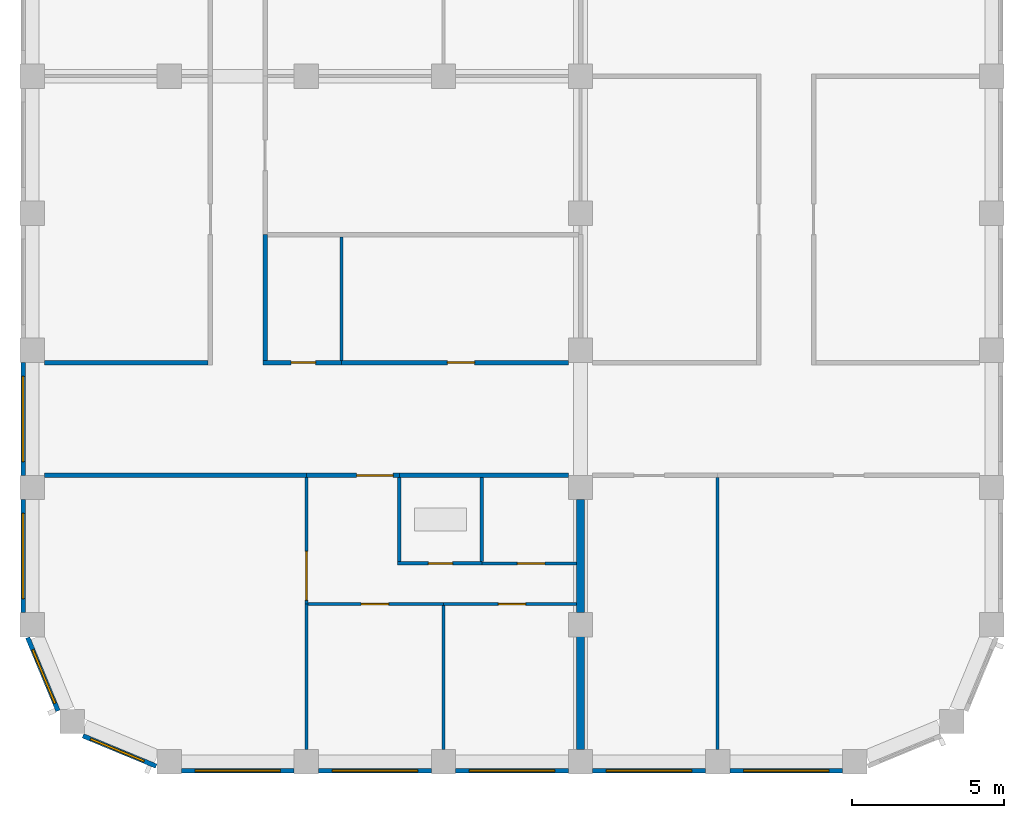
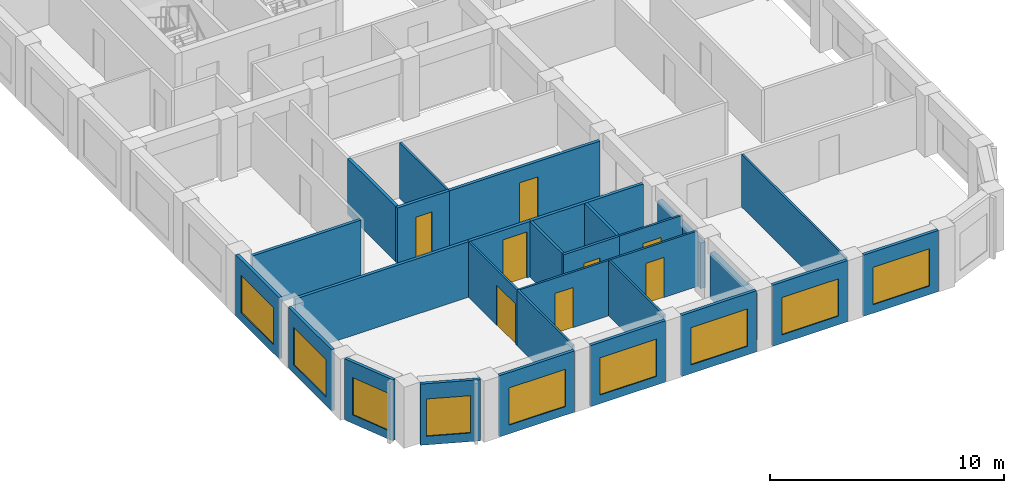
# One storey, part 2 of 9: 29 walls, 9 windows, 8 doors, 17 openings.
"""IFC4 building model written with IfcOpenShell, lengths in metres."""

from ifc_helpers import new_model, si_unit, direction, frame, frame_2d, origin, place, context, subcontext, project, spatial, rectangle, extrude, material, layer, layer_set, type_object, element, fill, save


model = new_model("IFC4")

# Units and contexts
model_context = context("Model", 3, precision=1e-05, world=origin(), true_north=direction((0.0, 1.0)))
body_context = subcontext(model_context, "Body", "Model", "MODEL_VIEW")
ifc_project = project(units=[si_unit("LENGTHUNIT", "METRE"), si_unit("AREAUNIT", "SQUARE_METRE"), si_unit("VOLUMEUNIT", "CUBIC_METRE"), si_unit("PLANEANGLEUNIT", "RADIAN"), si_unit("MASSUNIT", "GRAM", prefix="KILO")], contexts=[model_context])

# Site, building, storey
site_placement = place(None, origin())
site = spatial("IfcSite", under=ifc_project, at=site_placement, CompositionType="ELEMENT")
building_placement = place(site_placement, origin())
building = spatial("IfcBuilding", under=site, at=building_placement, Name="Girih Gate Residences", CompositionType="ELEMENT")
storey_placement = place(building_placement, frame((0.0, 0.0, 189.10009765625)))
storey = spatial("IfcBuildingStorey", under=building, at=storey_placement, Name="L52", CompositionType="ELEMENT", Elevation=189.10009765625)

# Walls
ifc_material_1 = material(Name="Gypsum board on steel studs", Category="steel")
ifc_layer_1 = layer(ifc_material_1, 0.25)
ifc_layer_set_1 = layer_set([ifc_layer_1], Name="Acoustic separating wall 250 mm")
wall_type_1 = type_object("IfcWallType", Name="Acoustic separating wall 250 mm", PredefinedType="PARTITIONING", material=ifc_layer_set_1)
for number, where, z_axis, x_axis, name in (
    (1, (18.0, 4.89990234375, 0.0), (0.0, 0.0, 1.0), (0.0, 1.0, 0.0), "L52 partition"),
    (2, (18.0, 0.39990234375, 0.0), (0.0, 0.0, 1.0), (0.0, 1.0, 0.0), "L52 partition"),
):
    element("IfcWall", number, at=place(storey_placement, frame(where, z_axis=z_axis, x_axis=x_axis)), inside=storey, type_object=wall_type_1, Name=name, PredefinedType="PARTITIONING", context=body_context, shape_type="SweptSolid", body=[
        extrude(rectangle(XDim=3.7001953125, YDim=0.25, at=frame_2d((1.85009765625, 0.0))), origin(), (0.0, 0.0, 1.0), 2.3798828125),
    ])
ifc_layer_2 = layer(ifc_material_1, 0.14990234375)
ifc_layer_set_2 = layer_set([ifc_layer_2], Name="Compartment wall 150 mm")
wall_type_2 = type_object("IfcWallType", Name="Compartment wall 150 mm", PredefinedType="PARTITIONING", material=ifc_layer_set_2)
wall_1_placement = place(storey_placement, frame((12.050048828125, 9.39990234375, 0.0), z_axis=(0.0, 0.0, 1.0), x_axis=(1.0, 0.0, 0.0)))
element("IfcWall", 3, at=wall_1_placement, inside=storey, type_object=wall_type_2, Name="L52 partition", PredefinedType="PARTITIONING", context=body_context, shape_type="SweptSolid", body=[
    extrude(rectangle(XDim=5.550048828125, YDim=0.14990234375, at=frame_2d((2.77490234375, 0.0))), origin(), (0.0, 0.0, 1.0), 2.89990234375),
])

# Wall, opening, door
wall_2_placement = place(storey_placement, frame((12.050048828125, 9.39990234375, 0.0), z_axis=(0.0, 0.0, 1.0), x_axis=(-1.0, 0.0, 0.0)))
wall_2 = element("IfcWall", 4, at=wall_2_placement, inside=storey, type_object=wall_type_2, Name="L52 partition", PredefinedType="PARTITIONING", context=body_context, shape_type="SweptSolid", body=[
    extrude(rectangle(XDim=3.050048828125, YDim=0.14990234375, at=frame_2d((1.52490234375, 0.0))), origin(), (0.0, 0.0, 1.0), 2.89990234375),
])
opening_1_placement = place(wall_2_placement, frame((0.199951171875, 0.0, 0.0)))
opening_1 = element("IfcOpeningElement", 5, at=opening_1_placement, cuts=wall_2, Name="Opening A52-006", PredefinedType="OPENING", context=body_context, shape_type="SweptSolid", body=[
    extrude(rectangle(XDim=1.199951171875, YDim=2.39990234375, at=frame_2d((0.60009765625, 1.199951171875))), frame((0.0, 0.0849609375, 0.0), z_axis=(0.0, -1.0, 0.0), x_axis=(1.0, 0.0, 0.0)), (0.0, 0.0, 1.0), 0.169921875),
])
ifc_material_2 = material(Name="Timber, fire-rated core", Category="wood")
door_type_1 = type_object("IfcDoorType", Name="Villa entrance door 1200x2400 FD30S", OperationType="NOTDEFINED", PredefinedType="DOOR", material=ifc_material_2)
door_1_placement = place(opening_1_placement, origin())
door_1 = element("IfcDoor", 6, at=door_1_placement, inside=storey, type_object=door_type_1, Name="Door A52-006", OperationType="SINGLE_SWING_LEFT", OverallHeight=2.39990234375, OverallWidth=1.199951171875, PredefinedType="DOOR", context=body_context, shape_type="SweptSolid", body=[
    extrude(rectangle(XDim=1.199951171875, YDim=2.39990234375, at=frame_2d((0.60009765625, 1.199951171875))), frame((0.0, 0.02490234375, 0.0), z_axis=(0.0, -1.0, 0.0), x_axis=(1.0, 0.0, 0.0)), (0.0, 0.0, 1.0), 0.050048828125),
])
fill(opening_1, door_1)

# Wall
wall_3_placement = place(storey_placement, frame((0.39990234375, 9.39990234375, 0.0), z_axis=(0.0, 0.0, 1.0), x_axis=(1.0, 0.0, 0.0)))
element("IfcWall", 7, at=wall_3_placement, inside=storey, type_object=wall_type_2, Name="L52 partition", PredefinedType="PARTITIONING", context=body_context, shape_type="SweptSolid", body=[
    extrude(rectangle(XDim=8.60009765625, YDim=0.14990234375, at=frame_2d((4.300048828125, 0.0))), origin(), (0.0, 0.0, 1.0), 2.89990234375),
])

# Wall, opening, door
wall_4_placement = place(storey_placement, frame((10.14990234375, 13.10009765625, 0.0), z_axis=(0.0, 0.0, 1.0), x_axis=(1.0, 0.0, 0.0)))
wall_4 = element("IfcWall", 8, at=wall_4_placement, inside=storey, type_object=wall_type_2, Name="L52 partition", PredefinedType="PARTITIONING", context=body_context, shape_type="SweptSolid", body=[
    extrude(rectangle(XDim=7.4501953125, YDim=0.14990234375, at=frame_2d((3.72509765625, 0.0))), origin(), (0.0, 0.0, 1.0), 2.89990234375),
])
opening_2_placement = place(wall_4_placement, frame((3.47509765625, 0.0, 0.0)))
opening_2 = element("IfcOpeningElement", 9, at=opening_2_placement, cuts=wall_4, Name="Opening A52-020", PredefinedType="OPENING", context=body_context, shape_type="SweptSolid", body=[
    extrude(rectangle(XDim=0.89990234375, YDim=2.10009765625, at=frame_2d((0.449951171875, 1.050048828125))), frame((0.0, 0.0849609375, 0.0), z_axis=(0.0, -1.0, 0.0), x_axis=(1.0, 0.0, 0.0)), (0.0, 0.0, 1.0), 0.169921875),
])
ifc_material_3 = material(Name="Timber", Category="wood")
door_type_2 = type_object("IfcDoorType", Name="Service room door 900x2100", OperationType="NOTDEFINED", PredefinedType="DOOR", material=ifc_material_3)
door_2_placement = place(opening_2_placement, origin())
door_2 = element("IfcDoor", 10, at=door_2_placement, inside=storey, type_object=door_type_2, Name="Door A52-020", OperationType="SINGLE_SWING_RIGHT", OverallHeight=2.10009765625, OverallWidth=0.89990234375, PredefinedType="DOOR", context=body_context, shape_type="SweptSolid", body=[
    extrude(rectangle(XDim=0.89990234375, YDim=2.10009765625, at=frame_2d((0.449951171875, 1.050048828125))), frame((0.0, 0.02490234375, 0.0), z_axis=(0.0, -1.0, 0.0), x_axis=(1.0, 0.0, 0.0)), (0.0, 0.0, 1.0), 0.050048828125),
])
fill(opening_2, door_2)

wall_5_placement = place(storey_placement, frame((7.574951171875, 13.10009765625, 0.0), z_axis=(0.0, 0.0, 1.0), x_axis=(1.0, 0.0, 0.0)))
wall_5 = element("IfcWall", 11, at=wall_5_placement, inside=storey, type_object=wall_type_2, Name="L52 partition", PredefinedType="PARTITIONING", context=body_context, shape_type="SweptSolid", body=[
    extrude(rectangle(XDim=2.574951171875, YDim=0.14990234375, at=frame_2d((1.28759765625, 0.0))), origin(), (0.0, 0.0, 1.0), 2.89990234375),
])
opening_3_placement = place(wall_5_placement, frame((0.925048828125, 0.0, 0.0)))
opening_3 = element("IfcOpeningElement", 12, at=opening_3_placement, cuts=wall_5, Name="Opening A52-021", PredefinedType="OPENING", context=body_context, shape_type="SweptSolid", body=[
    extrude(rectangle(XDim=0.800048828125, YDim=2.10009765625, at=frame_2d((0.39990234375, 1.050048828125))), frame((0.0, 0.0849609375, 0.0), z_axis=(0.0, -1.0, 0.0), x_axis=(1.0, 0.0, 0.0)), (0.0, 0.0, 1.0), 0.169921875),
])
door_type_3 = type_object("IfcDoorType", Name="Bathroom door 800x2100", OperationType="NOTDEFINED", PredefinedType="DOOR", material=ifc_material_3)
door_3_placement = place(opening_3_placement, origin())
door_3 = element("IfcDoor", 13, at=door_3_placement, inside=storey, type_object=door_type_3, Name="Door A52-021", OperationType="SINGLE_SWING_RIGHT", OverallHeight=2.10009765625, OverallWidth=0.800048828125, PredefinedType="DOOR", context=body_context, shape_type="SweptSolid", body=[
    extrude(rectangle(XDim=0.800048828125, YDim=2.10009765625, at=frame_2d((0.39990234375, 1.050048828125))), frame((0.0, 0.02490234375, 0.0), z_axis=(0.0, -1.0, 0.0), x_axis=(1.0, 0.0, 0.0)), (0.0, 0.0, 1.0), 0.050048828125),
])
fill(opening_3, door_3)

# Walls
wall_6_placement = place(storey_placement, frame((0.39990234375, 13.10009765625, 0.0), z_axis=(0.0, 0.0, 1.0), x_axis=(1.0, 0.0, 0.0)))
element("IfcWall", 14, at=wall_6_placement, inside=storey, type_object=wall_type_2, Name="L52 partition", PredefinedType="PARTITIONING", context=body_context, shape_type="SweptSolid", body=[
    extrude(rectangle(XDim=5.375, YDim=0.14990234375, at=frame_2d((2.6875, 0.0))), origin(), (0.0, 0.0, 1.0), 2.89990234375),
])
wall_7_placement = place(storey_placement, frame((7.64990234375, 13.175048828125, 0.0), z_axis=(0.0, 0.0, 1.0), x_axis=(0.0, 1.0, 0.0)))
element("IfcWall", 15, at=wall_7_placement, inside=storey, type_object=wall_type_2, Name="L52 partition", PredefinedType="PARTITIONING", context=body_context, shape_type="SweptSolid", body=[
    extrude(rectangle(XDim=4.125, YDim=0.14990234375, at=frame_2d((2.0625, 0.0))), origin(), (0.0, 0.0, 1.0), 2.89990234375),
])
ifc_layer_3 = layer(ifc_material_1, 0.10009765625)
ifc_layer_set_3 = layer_set([ifc_layer_3], Name="Partition 100 mm")
wall_type_3 = type_object("IfcWallType", Name="Partition 100 mm", PredefinedType="PARTITIONING", material=ifc_layer_set_3)
wall_8_placement = place(storey_placement, frame((13.5, 0.39990234375, 0.0), z_axis=(0.0, 0.0, 1.0), x_axis=(0.0, 1.0, 0.0)))
element("IfcWall", 16, at=wall_8_placement, inside=storey, type_object=wall_type_3, Name="L52 partition", PredefinedType="PARTITIONING", context=body_context, shape_type="SweptSolid", body=[
    extrude(rectangle(XDim=4.72021484375, YDim=0.10009765625, at=frame_2d((2.360107421875, 0.0))), origin(), (0.0, 0.0, 1.0), 2.89990234375),
])

# Wall, opening, door
wall_9_placement = place(storey_placement, frame((13.5, 5.169921875, 0.0), z_axis=(0.0, 0.0, 1.0), x_axis=(-1.0, 0.0, 0.0)))
wall_9 = element("IfcWall", 17, at=wall_9_placement, inside=storey, type_object=wall_type_3, Name="L52 partition", PredefinedType="PARTITIONING", context=body_context, shape_type="SweptSolid", body=[
    extrude(rectangle(XDim=4.449951171875, YDim=0.10009765625, at=frame_2d((2.22509765625, 0.0))), origin(), (0.0, 0.0, 1.0), 2.89990234375),
])
opening_4_placement = place(wall_9_placement, frame((1.800048828125, 0.0, 0.0)))
opening_4 = element("IfcOpeningElement", 18, at=opening_4_placement, cuts=wall_9, Name="Opening A52-002", PredefinedType="OPENING", context=body_context, shape_type="SweptSolid", body=[
    extrude(rectangle(XDim=0.89990234375, YDim=2.10009765625, at=frame_2d((0.449951171875, 1.050048828125))), frame((0.0, 0.06005859375, 0.0), z_axis=(0.0, -1.0, 0.0), x_axis=(1.0, 0.0, 0.0)), (0.0, 0.0, 1.0), 0.1201171875),
])
door_type_4 = type_object("IfcDoorType", Name="Bedroom door 900x2100", OperationType="NOTDEFINED", PredefinedType="DOOR", material=ifc_material_3)
door_4_placement = place(opening_4_placement, origin())
door_4 = element("IfcDoor", 19, at=door_4_placement, inside=storey, type_object=door_type_4, Name="Door A52-002", OperationType="SINGLE_SWING_RIGHT", OverallHeight=2.10009765625, OverallWidth=0.89990234375, PredefinedType="DOOR", context=body_context, shape_type="SweptSolid", body=[
    extrude(rectangle(XDim=0.89990234375, YDim=2.10009765625, at=frame_2d((0.449951171875, 1.050048828125))), frame((0.0, 0.02490234375, 0.0), z_axis=(0.0, -1.0, 0.0), x_axis=(1.0, 0.0, 0.0)), (0.0, 0.0, 1.0), 0.050048828125),
])
fill(opening_4, door_4)

# Wall
wall_10_placement = place(storey_placement, frame((9.0, 0.39990234375, 0.0), z_axis=(0.0, 0.0, 1.0), x_axis=(0.0, 1.0, 0.0)))
element("IfcWall", 20, at=wall_10_placement, inside=storey, type_object=wall_type_3, Name="L52 partition", PredefinedType="PARTITIONING", context=body_context, shape_type="SweptSolid", body=[
    extrude(rectangle(XDim=4.77001953125, YDim=0.10009765625, at=frame_2d((2.385009765625, 0.0))), origin(), (0.0, 0.0, 1.0), 2.89990234375),
])

# Wall, opening, door
wall_11_placement = place(storey_placement, frame((17.875, 5.169921875, 0.0), z_axis=(0.0, 0.0, 1.0), x_axis=(-1.0, 0.0, 0.0)))
wall_11 = element("IfcWall", 21, at=wall_11_placement, inside=storey, type_object=wall_type_3, Name="L52 partition", PredefinedType="PARTITIONING", context=body_context, shape_type="SweptSolid", body=[
    extrude(rectangle(XDim=4.375, YDim=0.10009765625, at=frame_2d((2.1875, 0.0))), origin(), (0.0, 0.0, 1.0), 2.89990234375),
])
opening_5_placement = place(wall_11_placement, frame((1.675048828125, 0.0, 0.0)))
opening_5 = element("IfcOpeningElement", 22, at=opening_5_placement, cuts=wall_11, Name="Opening A52-003", PredefinedType="OPENING", context=body_context, shape_type="SweptSolid", body=[
    extrude(rectangle(XDim=0.89990234375, YDim=2.10009765625, at=frame_2d((0.449951171875, 1.050048828125))), frame((0.0, 0.06005859375, 0.0), z_axis=(0.0, -1.0, 0.0), x_axis=(1.0, 0.0, 0.0)), (0.0, 0.0, 1.0), 0.1201171875),
])
door_5_placement = place(opening_5_placement, origin())
door_5 = element("IfcDoor", 23, at=door_5_placement, inside=storey, type_object=door_type_4, Name="Door A52-003", OperationType="SINGLE_SWING_LEFT", OverallHeight=2.10009765625, OverallWidth=0.89990234375, PredefinedType="DOOR", context=body_context, shape_type="SweptSolid", body=[
    extrude(rectangle(XDim=0.89990234375, YDim=2.10009765625, at=frame_2d((0.449951171875, 1.050048828125))), frame((0.0, 0.02490234375, 0.0), z_axis=(0.0, -1.0, 0.0), x_axis=(1.0, 0.0, 0.0)), (0.0, 0.0, 1.0), 0.050048828125),
])
fill(opening_5, door_5)

wall_12_placement = place(storey_placement, frame((14.758544921875, 6.510009765625, 0.0), z_axis=(0.0, 0.0, 1.0), x_axis=(1.0, 0.0, 0.0)))
wall_12 = element("IfcWall", 24, at=wall_12_placement, inside=storey, type_object=wall_type_3, Name="L52 partition", PredefinedType="PARTITIONING", context=body_context, shape_type="SweptSolid", body=[
    extrude(rectangle(XDim=3.116455078125, YDim=0.10009765625, at=frame_2d((1.55810546875, 0.0))), origin(), (0.0, 0.0, 1.0), 2.89990234375),
])
opening_6_placement = place(wall_12_placement, frame((1.170654296875, 0.0, 0.0)))
opening_6 = element("IfcOpeningElement", 25, at=opening_6_placement, cuts=wall_12, Name="Opening A52-004", PredefinedType="OPENING", context=body_context, shape_type="SweptSolid", body=[
    extrude(rectangle(XDim=0.89990234375, YDim=2.10009765625, at=frame_2d((0.449951171875, 1.050048828125))), frame((0.0, 0.06005859375, 0.0), z_axis=(0.0, -1.0, 0.0), x_axis=(1.0, 0.0, 0.0)), (0.0, 0.0, 1.0), 0.1201171875),
])
door_type_5 = type_object("IfcDoorType", Name="Kitchen door 900x2100", OperationType="NOTDEFINED", PredefinedType="DOOR", material=ifc_material_3)
door_6_placement = place(opening_6_placement, origin())
door_6 = element("IfcDoor", 26, at=door_6_placement, inside=storey, type_object=door_type_5, Name="Door A52-004", OperationType="SINGLE_SWING_RIGHT", OverallHeight=2.10009765625, OverallWidth=0.89990234375, PredefinedType="DOOR", context=body_context, shape_type="SweptSolid", body=[
    extrude(rectangle(XDim=0.89990234375, YDim=2.10009765625, at=frame_2d((0.449951171875, 1.050048828125))), frame((0.0, 0.02490234375, 0.0), z_axis=(0.0, -1.0, 0.0), x_axis=(1.0, 0.0, 0.0)), (0.0, 0.0, 1.0), 0.050048828125),
])
fill(opening_6, door_6)

wall_13_placement = place(storey_placement, frame((9.0, 5.169921875, 0.0), z_axis=(0.0, 0.0, 1.0), x_axis=(0.0, 1.0, 0.0)))
wall_13 = element("IfcWall", 27, at=wall_13_placement, inside=storey, type_object=wall_type_3, Name="L52 partition", PredefinedType="PARTITIONING", context=body_context, shape_type="SweptSolid", body=[
    extrude(rectangle(XDim=4.155029296875, YDim=0.10009765625, at=frame_2d((2.07763671875, 0.0))), origin(), (0.0, 0.0, 1.0), 2.89990234375),
])
opening_7_placement = place(wall_13_placement, frame((0.1298828125, 0.0, 0.0)))
opening_7 = element("IfcOpeningElement", 28, at=opening_7_placement, cuts=wall_13, Name="Opening A52-005", PredefinedType="OPENING", context=body_context, shape_type="SweptSolid", body=[
    extrude(rectangle(XDim=1.60009765625, YDim=2.10009765625, at=frame_2d((0.800048828125, 1.050048828125))), frame((0.0, 0.06005859375, 0.0), z_axis=(0.0, -1.0, 0.0), x_axis=(1.0, 0.0, 0.0)), (0.0, 0.0, 1.0), 0.1201171875),
])
door_type_6 = type_object("IfcDoorType", Name="Double leaf door 1600x2100", OperationType="NOTDEFINED", PredefinedType="DOOR", material=ifc_material_3)
door_7_placement = place(opening_7_placement, origin())
door_7 = element("IfcDoor", 29, at=door_7_placement, inside=storey, type_object=door_type_6, Name="Door A52-005", OperationType="SINGLE_SWING_LEFT", OverallHeight=2.10009765625, OverallWidth=1.60009765625, PredefinedType="DOOR", context=body_context, shape_type="SweptSolid", body=[
    extrude(rectangle(XDim=1.60009765625, YDim=2.10009765625, at=frame_2d((0.800048828125, 1.050048828125))), frame((0.0, 0.02490234375, 0.0), z_axis=(0.0, -1.0, 0.0), x_axis=(1.0, 0.0, 0.0)), (0.0, 0.0, 1.0), 0.050048828125),
])
fill(opening_7, door_7)

# Walls
wall_14_placement = place(storey_placement, frame((22.5, 0.39990234375, 0.0), z_axis=(0.0, 0.0, 1.0), x_axis=(0.0, 1.0, 0.0)))
element("IfcWall", 30, at=wall_14_placement, inside=storey, type_object=wall_type_3, Name="L52 partition", PredefinedType="PARTITIONING", context=body_context, shape_type="SweptSolid", body=[
    extrude(rectangle(XDim=8.925048828125, YDim=0.10009765625, at=frame_2d((4.46240234375, 0.0))), origin(), (0.0, 0.0, 1.0), 2.75),
])
wall_15_placement = place(storey_placement, frame((10.14990234375, 13.175048828125, 0.0), z_axis=(0.0, 0.0, 1.0), x_axis=(0.0, 1.0, 0.0)))
element("IfcWall", 31, at=wall_15_placement, inside=storey, type_object=wall_type_3, Name="L52 partition", PredefinedType="PARTITIONING", context=body_context, shape_type="SweptSolid", body=[
    extrude(rectangle(XDim=4.050048828125, YDim=0.10009765625, at=frame_2d((2.02490234375, 0.0))), origin(), (0.0, 0.0, 1.0), 2.89990234375),
])

# Wall, opening, window
ifc_material_4 = material(Name="Precast concrete C50/60", Category="concrete")
ifc_layer_4 = layer(ifc_material_4, 0.050048828125, Name="Outer leaf")
ifc_material_5 = material(Name="Rigid PIR insulation")
ifc_layer_5 = layer(ifc_material_5, 0.06005859375, Name="Insulation")
ifc_material_6 = material(Name="Precast concrete C40/50", Category="concrete")
ifc_layer_6 = layer(ifc_material_6, 0.0400390625, Name="Inner leaf")
ifc_layer_set_4 = layer_set([ifc_layer_4, ifc_layer_5, ifc_layer_6], Name="Precast concrete C50/60 external wall 150")
wall_type_4 = type_object("IfcWallType", Name="Precast concrete C50/60 external wall 150", PredefinedType="SOLIDWALL", material=ifc_layer_set_4)
wall_16_placement = place(storey_placement, frame((-0.300048828125, 9.39990234375, 0.0), z_axis=(0.0, 0.0, 1.0), x_axis=(0.0, 1.0, 0.0)))
wall_16 = element("IfcWall", 32, at=wall_16_placement, inside=storey, type_object=wall_type_4, Name="External wall W0000_0450.7", PredefinedType="SOLIDWALL", context=body_context, shape_type="SweptSolid", body=[
    extrude(rectangle(XDim=3.7001953125, YDim=0.14990234375, at=frame_2d((1.85009765625, 0.0))), origin(), (0.0, 0.0, 1.0), 3.199951171875),
])
opening_8_placement = place(wall_16_placement, frame((0.449951171875, 0.0, 0.449951171875)))
opening_8 = element("IfcOpeningElement", 33, at=opening_8_placement, cuts=wall_16, Name="Opening W-1B", PredefinedType="OPENING", context=body_context, shape_type="SweptSolid", body=[
    extrude(rectangle(XDim=2.800048828125, YDim=1.949951171875, at=frame_2d((1.39990234375, 0.97509765625))), frame((0.0, 0.0849609375, 0.0), z_axis=(0.0, -1.0, 0.0), x_axis=(1.0, 0.0, 0.0)), (0.0, 0.0, 1.0), 0.169921875),
])
ifc_material_7 = material(Name="Double glazing in aluminium frame", Category="aluminium")
window_type_1 = type_object("IfcWindowType", Name="Window W-1B 2800x1950", PartitioningType="SINGLE_PANEL", PredefinedType="WINDOW", material=ifc_material_7)
window_1_placement = place(opening_8_placement, origin())
window_1 = element("IfcWindow", 34, at=window_1_placement, inside=storey, type_object=window_type_1, Name="Window W-1B W0000_0450.7", OverallHeight=1.949951171875, OverallWidth=2.800048828125, PartitioningType="SINGLE_PANEL", PredefinedType="WINDOW", context=body_context, shape_type="SweptSolid", body=[
    extrude(rectangle(XDim=2.800048828125, YDim=1.949951171875, at=frame_2d((1.39990234375, 0.97509765625))), frame((0.0, 0.030029296875, 0.0), z_axis=(0.0, -1.0, 0.0), x_axis=(1.0, 0.0, 0.0)), (0.0, 0.0, 1.0), 0.06005859375),
])
fill(opening_8, window_1)

wall_17_placement = place(storey_placement, frame((-0.300048828125, 4.89990234375, 0.0), z_axis=(0.0, 0.0, 1.0), x_axis=(0.0, 1.0, 0.0)))
wall_17 = element("IfcWall", 35, at=wall_17_placement, inside=storey, type_object=wall_type_4, Name="External wall W0000_0450.8", PredefinedType="SOLIDWALL", context=body_context, shape_type="SweptSolid", body=[
    extrude(rectangle(XDim=3.7001953125, YDim=0.14990234375, at=frame_2d((1.85009765625, 0.0))), origin(), (0.0, 0.0, 1.0), 3.199951171875),
])
opening_9_placement = place(wall_17_placement, frame((0.449951171875, 0.0, 0.449951171875)))
opening_9 = element("IfcOpeningElement", 36, at=opening_9_placement, cuts=wall_17, Name="Opening W-1B", PredefinedType="OPENING", context=body_context, shape_type="SweptSolid", body=[
    extrude(rectangle(XDim=2.800048828125, YDim=1.949951171875, at=frame_2d((1.39990234375, 0.97509765625))), frame((0.0, 0.0849609375, 0.0), z_axis=(0.0, -1.0, 0.0), x_axis=(1.0, 0.0, 0.0)), (0.0, 0.0, 1.0), 0.169921875),
])
window_2_placement = place(opening_9_placement, origin())
window_2 = element("IfcWindow", 37, at=window_2_placement, inside=storey, type_object=window_type_1, Name="Window W-1B W0000_0450.8", OverallHeight=1.949951171875, OverallWidth=2.800048828125, PartitioningType="SINGLE_PANEL", PredefinedType="WINDOW", context=body_context, shape_type="SweptSolid", body=[
    extrude(rectangle(XDim=2.800048828125, YDim=1.949951171875, at=frame_2d((1.39990234375, 0.97509765625))), frame((0.0, 0.030029296875, 0.0), z_axis=(0.0, -1.0, 0.0), x_axis=(1.0, 0.0, 0.0)), (0.0, 0.0, 1.0), 0.06005859375),
])
fill(opening_9, window_2)

wall_18_placement = place(storey_placement, frame((0.8486328125, 1.6669921875, 0.0), z_axis=(0.0, 0.0, 1.0), x_axis=(-0.382669406082, 0.923885342263, 0.0)))
wall_18 = element("IfcWall", 38, at=wall_18_placement, inside=storey, type_object=wall_type_4, Name="External wall SW0000_0045.0", PredefinedType="SOLIDWALL", context=body_context, shape_type="SweptSolid", body=[
    extrude(rectangle(XDim=2.602294921875, YDim=0.14990234375, at=frame_2d((1.30126953125, 0.0))), origin(), (0.0, 0.0, 1.0), 3.199951171875),
])
opening_10_placement = place(wall_18_placement, frame((0.27001953125, 0.0, 0.449951171875)))
opening_10 = element("IfcOpeningElement", 39, at=opening_10_placement, cuts=wall_18, Name="Opening W-2G", PredefinedType="OPENING", context=body_context, shape_type="SweptSolid", body=[
    extrude(rectangle(XDim=1.89990234375, YDim=1.949951171875, at=frame_2d((0.949951171875, 0.97509765625))), frame((0.0, 0.0849609375, 0.0), z_axis=(0.0, -1.0, 0.0), x_axis=(1.0, 0.0, 0.0)), (0.0, 0.0, 1.0), 0.169921875),
])
window_type_2 = type_object("IfcWindowType", Name="Window W-2G 1900x1950", PartitioningType="SINGLE_PANEL", PredefinedType="WINDOW", material=ifc_material_7)
window_3_placement = place(opening_10_placement, origin())
window_3 = element("IfcWindow", 40, at=window_3_placement, inside=storey, type_object=window_type_2, Name="Window W-2G SW0000_0045.0", OverallHeight=1.949951171875, OverallWidth=1.89990234375, PartitioningType="SINGLE_PANEL", PredefinedType="WINDOW", context=body_context, shape_type="SweptSolid", body=[
    extrude(rectangle(XDim=1.89990234375, YDim=1.949951171875, at=frame_2d((0.949951171875, 0.97509765625))), frame((0.0, 0.030029296875, 0.0), z_axis=(0.0, -1.0, 0.0), x_axis=(1.0, 0.0, 0.0)), (0.0, 0.0, 1.0), 0.06005859375),
])
fill(opening_10, window_3)

wall_19_placement = place(storey_placement, frame((4.0712890625, -0.147216796875, 0.0), z_axis=(0.0, 0.0, 1.0), x_axis=(-0.923885342263, 0.382669406082, 0.0)))
wall_19 = element("IfcWall", 41, at=wall_19_placement, inside=storey, type_object=wall_type_4, Name="External wall SW0013_0013.0", PredefinedType="SOLIDWALL", context=body_context, shape_type="SweptSolid", body=[
    extrude(rectangle(XDim=2.602294921875, YDim=0.14990234375, at=frame_2d((1.30126953125, 0.0))), origin(), (0.0, 0.0, 1.0), 3.199951171875),
])
opening_11_placement = place(wall_19_placement, frame((0.432373046875, 0.0, 0.449951171875)))
opening_11 = element("IfcOpeningElement", 42, at=opening_11_placement, cuts=wall_19, Name="Opening W-2G", PredefinedType="OPENING", context=body_context, shape_type="SweptSolid", body=[
    extrude(rectangle(XDim=1.89990234375, YDim=1.949951171875, at=frame_2d((0.949951171875, 0.97509765625))), frame((0.0, 0.0849609375, 0.0), z_axis=(0.0, -1.0, 0.0), x_axis=(1.0, 0.0, 0.0)), (0.0, 0.0, 1.0), 0.169921875),
])
window_4_placement = place(opening_11_placement, origin())
window_4 = element("IfcWindow", 43, at=window_4_placement, inside=storey, type_object=window_type_2, Name="Window W-2G SW0013_0013.0", OverallHeight=1.949951171875, OverallWidth=1.89990234375, PartitioningType="SINGLE_PANEL", PredefinedType="WINDOW", context=body_context, shape_type="SweptSolid", body=[
    extrude(rectangle(XDim=1.89990234375, YDim=1.949951171875, at=frame_2d((0.949951171875, 0.97509765625))), frame((0.0, 0.030029296875, 0.0), z_axis=(0.0, -1.0, 0.0), x_axis=(1.0, 0.0, 0.0)), (0.0, 0.0, 1.0), 0.06005859375),
])
fill(opening_11, window_4)

wall_20_placement = place(storey_placement, frame((8.60009765625, -0.300048828125, 0.0), z_axis=(0.0, 0.0, 1.0), x_axis=(-1.0, 0.0, 0.0)))
wall_20 = element("IfcWall", 44, at=wall_20_placement, inside=storey, type_object=wall_type_4, Name="External wall S0045_0000.0", PredefinedType="SOLIDWALL", context=body_context, shape_type="SweptSolid", body=[
    extrude(rectangle(XDim=3.7001953125, YDim=0.14990234375, at=frame_2d((1.85009765625, 0.0))), origin(), (0.0, 0.0, 1.0), 3.199951171875),
])
opening_12_placement = place(wall_20_placement, frame((0.449951171875, 0.0, 0.449951171875)))
opening_12 = element("IfcOpeningElement", 45, at=opening_12_placement, cuts=wall_20, Name="Opening W-1B", PredefinedType="OPENING", context=body_context, shape_type="SweptSolid", body=[
    extrude(rectangle(XDim=2.800048828125, YDim=1.949951171875, at=frame_2d((1.39990234375, 0.97509765625))), frame((0.0, 0.0849609375, 0.0), z_axis=(0.0, -1.0, 0.0), x_axis=(1.0, 0.0, 0.0)), (0.0, 0.0, 1.0), 0.169921875),
])
window_5_placement = place(opening_12_placement, origin())
window_5 = element("IfcWindow", 46, at=window_5_placement, inside=storey, type_object=window_type_1, Name="Window W-1B S0045_0000.0", OverallHeight=1.949951171875, OverallWidth=2.800048828125, PartitioningType="SINGLE_PANEL", PredefinedType="WINDOW", context=body_context, shape_type="SweptSolid", body=[
    extrude(rectangle(XDim=2.800048828125, YDim=1.949951171875, at=frame_2d((1.39990234375, 0.97509765625))), frame((0.0, 0.030029296875, 0.0), z_axis=(0.0, -1.0, 0.0), x_axis=(1.0, 0.0, 0.0)), (0.0, 0.0, 1.0), 0.06005859375),
])
fill(opening_12, window_5)

wall_21_placement = place(storey_placement, frame((13.10009765625, -0.300048828125, 0.0), z_axis=(0.0, 0.0, 1.0), x_axis=(-1.0, 0.0, 0.0)))
wall_21 = element("IfcWall", 47, at=wall_21_placement, inside=storey, type_object=wall_type_4, Name="External wall S0045_0000.1", PredefinedType="SOLIDWALL", context=body_context, shape_type="SweptSolid", body=[
    extrude(rectangle(XDim=3.7001953125, YDim=0.14990234375, at=frame_2d((1.85009765625, 0.0))), origin(), (0.0, 0.0, 1.0), 3.199951171875),
])
opening_13_placement = place(wall_21_placement, frame((0.449951171875, 0.0, 0.449951171875)))
opening_13 = element("IfcOpeningElement", 48, at=opening_13_placement, cuts=wall_21, Name="Opening W-1B", PredefinedType="OPENING", context=body_context, shape_type="SweptSolid", body=[
    extrude(rectangle(XDim=2.800048828125, YDim=1.949951171875, at=frame_2d((1.39990234375, 0.97509765625))), frame((0.0, 0.0849609375, 0.0), z_axis=(0.0, -1.0, 0.0), x_axis=(1.0, 0.0, 0.0)), (0.0, 0.0, 1.0), 0.169921875),
])
window_6_placement = place(opening_13_placement, origin())
window_6 = element("IfcWindow", 49, at=window_6_placement, inside=storey, type_object=window_type_1, Name="Window W-1B S0045_0000.1", OverallHeight=1.949951171875, OverallWidth=2.800048828125, PartitioningType="SINGLE_PANEL", PredefinedType="WINDOW", context=body_context, shape_type="SweptSolid", body=[
    extrude(rectangle(XDim=2.800048828125, YDim=1.949951171875, at=frame_2d((1.39990234375, 0.97509765625))), frame((0.0, 0.030029296875, 0.0), z_axis=(0.0, -1.0, 0.0), x_axis=(1.0, 0.0, 0.0)), (0.0, 0.0, 1.0), 0.06005859375),
])
fill(opening_13, window_6)

wall_22_placement = place(storey_placement, frame((17.60009765625, -0.300048828125, 0.0), z_axis=(0.0, 0.0, 1.0), x_axis=(-1.0, 0.0, 0.0)))
wall_22 = element("IfcWall", 50, at=wall_22_placement, inside=storey, type_object=wall_type_4, Name="External wall S0045_0000.2", PredefinedType="SOLIDWALL", context=body_context, shape_type="SweptSolid", body=[
    extrude(rectangle(XDim=3.7001953125, YDim=0.14990234375, at=frame_2d((1.85009765625, 0.0))), origin(), (0.0, 0.0, 1.0), 3.199951171875),
])
opening_14_placement = place(wall_22_placement, frame((0.449951171875, 0.0, 0.449951171875)))
opening_14 = element("IfcOpeningElement", 51, at=opening_14_placement, cuts=wall_22, Name="Opening W-1B", PredefinedType="OPENING", context=body_context, shape_type="SweptSolid", body=[
    extrude(rectangle(XDim=2.800048828125, YDim=1.949951171875, at=frame_2d((1.39990234375, 0.97509765625))), frame((0.0, 0.0849609375, 0.0), z_axis=(0.0, -1.0, 0.0), x_axis=(1.0, 0.0, 0.0)), (0.0, 0.0, 1.0), 0.169921875),
])
window_7_placement = place(opening_14_placement, origin())
window_7 = element("IfcWindow", 52, at=window_7_placement, inside=storey, type_object=window_type_1, Name="Window W-1B S0045_0000.2", OverallHeight=1.949951171875, OverallWidth=2.800048828125, PartitioningType="SINGLE_PANEL", PredefinedType="WINDOW", context=body_context, shape_type="SweptSolid", body=[
    extrude(rectangle(XDim=2.800048828125, YDim=1.949951171875, at=frame_2d((1.39990234375, 0.97509765625))), frame((0.0, 0.030029296875, 0.0), z_axis=(0.0, -1.0, 0.0), x_axis=(1.0, 0.0, 0.0)), (0.0, 0.0, 1.0), 0.06005859375),
])
fill(opening_14, window_7)

wall_23_placement = place(storey_placement, frame((22.10009765625, -0.300048828125, 0.0), z_axis=(0.0, 0.0, 1.0), x_axis=(-1.0, 0.0, 0.0)))
wall_23 = element("IfcWall", 53, at=wall_23_placement, inside=storey, type_object=wall_type_4, Name="External wall S0045_0000.3", PredefinedType="SOLIDWALL", context=body_context, shape_type="SweptSolid", body=[
    extrude(rectangle(XDim=3.7001953125, YDim=0.14990234375, at=frame_2d((1.85009765625, 0.0))), origin(), (0.0, 0.0, 1.0), 3.199951171875),
])
opening_15_placement = place(wall_23_placement, frame((0.449951171875, 0.0, 0.449951171875)))
opening_15 = element("IfcOpeningElement", 54, at=opening_15_placement, cuts=wall_23, Name="Opening W-1B", PredefinedType="OPENING", context=body_context, shape_type="SweptSolid", body=[
    extrude(rectangle(XDim=2.800048828125, YDim=1.949951171875, at=frame_2d((1.39990234375, 0.97509765625))), frame((0.0, 0.0849609375, 0.0), z_axis=(0.0, -1.0, 0.0), x_axis=(1.0, 0.0, 0.0)), (0.0, 0.0, 1.0), 0.169921875),
])
window_8_placement = place(opening_15_placement, origin())
window_8 = element("IfcWindow", 55, at=window_8_placement, inside=storey, type_object=window_type_1, Name="Window W-1B S0045_0000.3", OverallHeight=1.949951171875, OverallWidth=2.800048828125, PartitioningType="SINGLE_PANEL", PredefinedType="WINDOW", context=body_context, shape_type="SweptSolid", body=[
    extrude(rectangle(XDim=2.800048828125, YDim=1.949951171875, at=frame_2d((1.39990234375, 0.97509765625))), frame((0.0, 0.030029296875, 0.0), z_axis=(0.0, -1.0, 0.0), x_axis=(1.0, 0.0, 0.0)), (0.0, 0.0, 1.0), 0.06005859375),
])
fill(opening_15, window_8)

wall_24_placement = place(storey_placement, frame((26.60009765625, -0.300048828125, 0.0), z_axis=(0.0, 0.0, 1.0), x_axis=(-1.0, 0.0, 0.0)))
wall_24 = element("IfcWall", 56, at=wall_24_placement, inside=storey, type_object=wall_type_4, Name="External wall S0045_0000.4", PredefinedType="SOLIDWALL", context=body_context, shape_type="SweptSolid", body=[
    extrude(rectangle(XDim=3.7001953125, YDim=0.14990234375, at=frame_2d((1.85009765625, 0.0))), origin(), (0.0, 0.0, 1.0), 3.199951171875),
])
opening_16_placement = place(wall_24_placement, frame((0.449951171875, 0.0, 0.449951171875)))
opening_16 = element("IfcOpeningElement", 57, at=opening_16_placement, cuts=wall_24, Name="Opening W-1B", PredefinedType="OPENING", context=body_context, shape_type="SweptSolid", body=[
    extrude(rectangle(XDim=2.800048828125, YDim=1.949951171875, at=frame_2d((1.39990234375, 0.97509765625))), frame((0.0, 0.0849609375, 0.0), z_axis=(0.0, -1.0, 0.0), x_axis=(1.0, 0.0, 0.0)), (0.0, 0.0, 1.0), 0.169921875),
])
window_9_placement = place(opening_16_placement, origin())
window_9 = element("IfcWindow", 58, at=window_9_placement, inside=storey, type_object=window_type_1, Name="Window W-1B S0045_0000.4", OverallHeight=1.949951171875, OverallWidth=2.800048828125, PartitioningType="SINGLE_PANEL", PredefinedType="WINDOW", context=body_context, shape_type="SweptSolid", body=[
    extrude(rectangle(XDim=2.800048828125, YDim=1.949951171875, at=frame_2d((1.39990234375, 0.97509765625))), frame((0.0, 0.030029296875, 0.0), z_axis=(0.0, -1.0, 0.0), x_axis=(1.0, 0.0, 0.0)), (0.0, 0.0, 1.0), 0.06005859375),
])
fill(opening_16, window_9)

# Wall, opening, door
ifc_layer_7 = layer(ifc_material_1, 0.125)
ifc_layer_set_5 = layer_set([ifc_layer_7], Name="Wet room wall 125 mm")
wall_type_5 = type_object("IfcWallType", Name="Wet room wall 125 mm", PredefinedType="PARTITIONING", material=ifc_layer_set_5)
wall_25_placement = place(storey_placement, frame((11.987548828125, 6.510009765625, 0.0), z_axis=(0.0, 0.0, 1.0), x_axis=(1.0, 0.0, 0.0)))
wall_25 = element("IfcWall", 59, at=wall_25_placement, inside=storey, type_object=wall_type_5, Name="L52 partition", PredefinedType="PARTITIONING", context=body_context, shape_type="SweptSolid", body=[
    extrude(rectangle(XDim=2.77099609375, YDim=0.125, at=frame_2d((1.385498046875, 0.0))), origin(), (0.0, 0.0, 1.0), 2.89990234375),
])
opening_17_placement = place(wall_25_placement, frame((1.016845703125, 0.0, 0.0)))
opening_17 = element("IfcOpeningElement", 60, at=opening_17_placement, cuts=wall_25, Name="Opening A52-001", PredefinedType="OPENING", context=body_context, shape_type="SweptSolid", body=[
    extrude(rectangle(XDim=0.800048828125, YDim=2.10009765625, at=frame_2d((0.39990234375, 1.050048828125))), frame((0.0, 0.072509765625, 0.0), z_axis=(0.0, -1.0, 0.0), x_axis=(1.0, 0.0, 0.0)), (0.0, 0.0, 1.0), 0.14501953125),
])
door_8_placement = place(opening_17_placement, origin())
door_8 = element("IfcDoor", 61, at=door_8_placement, inside=storey, type_object=door_type_3, Name="Door A52-001", OperationType="SINGLE_SWING_RIGHT", OverallHeight=2.10009765625, OverallWidth=0.800048828125, PredefinedType="DOOR", context=body_context, shape_type="SweptSolid", body=[
    extrude(rectangle(XDim=0.800048828125, YDim=2.10009765625, at=frame_2d((0.39990234375, 1.050048828125))), frame((0.0, 0.02490234375, 0.0), z_axis=(0.0, -1.0, 0.0), x_axis=(1.0, 0.0, 0.0)), (0.0, 0.0, 1.0), 0.050048828125),
])
fill(opening_17, door_8)

# Walls
for number, where, z_axis, x_axis, name in (
    (62, (12.050048828125, 6.572509765625, 0.0), (0.0, 0.0, 1.0), (0.0, 1.0, 0.0), "L52 partition"),
    (63, (14.759033203125, 6.572509765625, 0.0), (0.0, 0.0, 1.0), (0.0, 1.0, 0.0), "L52 partition"),
):
    element("IfcWall", number, at=place(storey_placement, frame(where, z_axis=z_axis, x_axis=x_axis)), inside=storey, type_object=wall_type_5, Name=name, PredefinedType="PARTITIONING", context=body_context, shape_type="SweptSolid", body=[
        extrude(rectangle(XDim=2.75244140625, YDim=0.125, at=frame_2d((1.376220703125, 0.0))), origin(), (0.0, 0.0, 1.0), 2.89990234375),
    ])

save(model, "model.ifc")
